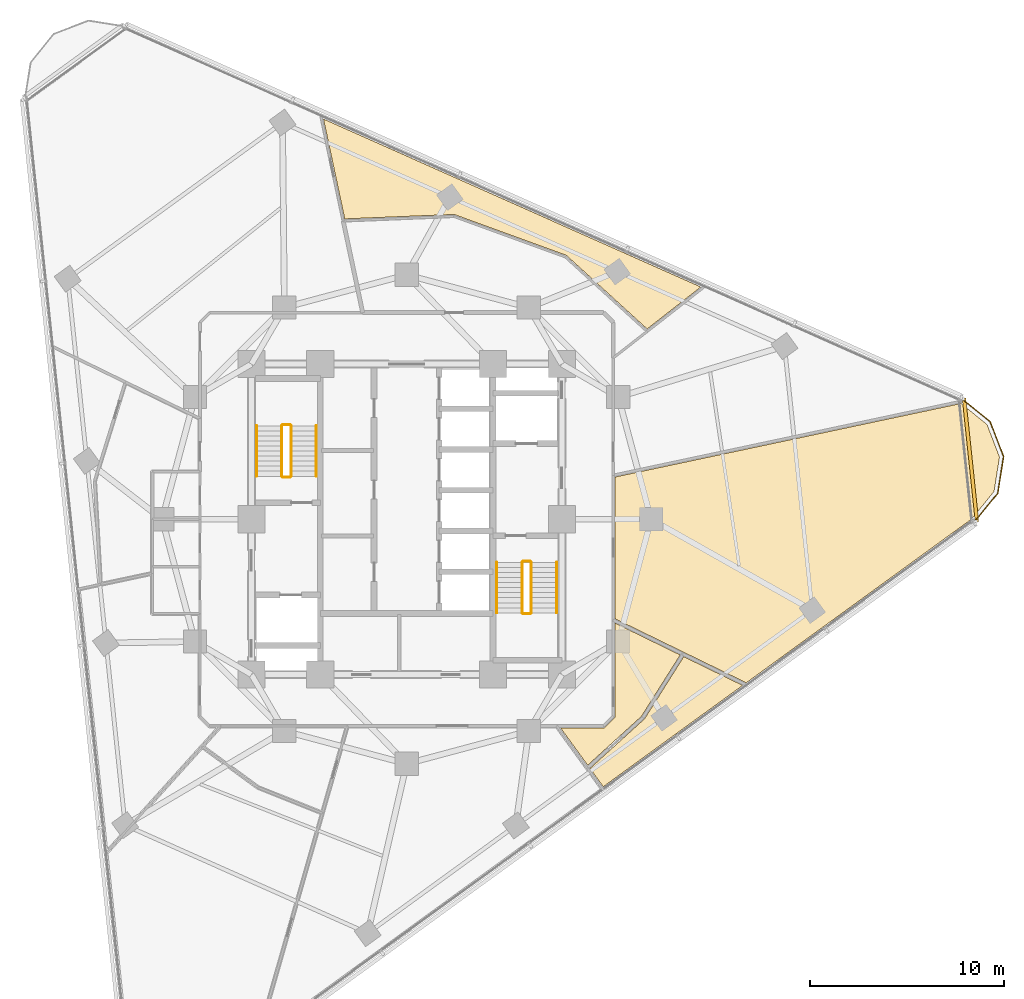
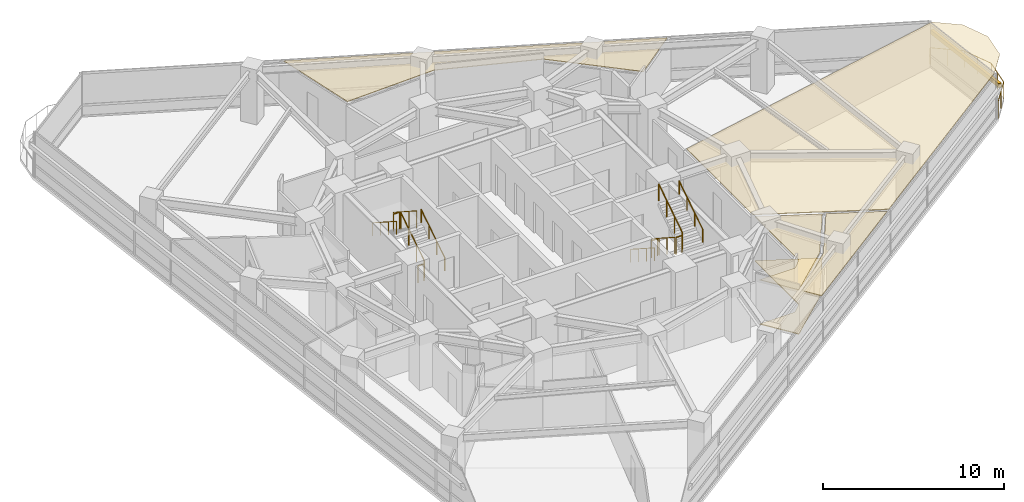
# One storey, part 13 of 14: 13 railings, 5 coverings, 1 shading device.
"""IFC4 building model written with IfcOpenShell, lengths in metres."""

from ifc_helpers import new_model, si_unit, direction, frame, origin, origin_2d, place, context, subcontext, project, spatial, polyline, rectangle, circle, outline, extrude, material, layer, layer_set, type_object, element, save


model = new_model("IFC4")

# Units and contexts
model_context = context("Model", 3, precision=1e-05, world=origin(), true_north=direction((0.0, 1.0)))
body_context = subcontext(model_context, "Body", "Model", "MODEL_VIEW")
ifc_project = project(units=[si_unit("LENGTHUNIT", "METRE"), si_unit("AREAUNIT", "SQUARE_METRE"), si_unit("VOLUMEUNIT", "CUBIC_METRE"), si_unit("PLANEANGLEUNIT", "RADIAN"), si_unit("MASSUNIT", "GRAM", prefix="KILO")], contexts=[model_context])

# Site, building, storey
site_placement = place(None, origin())
site = spatial("IfcSite", under=ifc_project, at=site_placement, CompositionType="ELEMENT")
building_placement = place(site_placement, origin())
building = spatial("IfcBuilding", under=site, at=building_placement, Name="Terralouvre Media Tower", CompositionType="ELEMENT")
storey_placement = place(building_placement, frame((0.0, 0.0, 165.699951171875)))
storey = spatial("IfcBuildingStorey", under=building, at=storey_placement, Name="L42", CompositionType="ELEMENT", Elevation=165.699951171875)

# Coverings
ifc_material_1 = material(Name="Resilient elastomer acoustic broadcast studio flooring")
ifc_layer_1 = layer(ifc_material_1, 0.050048828125, Name="Broadcast Studio Acoustic Floating Floor FL-AC1")
ifc_layer_set_1 = layer_set([ifc_layer_1], Name="Resilient elastomer acoustic broadcast studio flooring")
covering_type_1 = type_object("IfcCoveringType", Name="Broadcast Studio Acoustic Floating Floor FL-AC1", PredefinedType="FLOORING", material=ifc_layer_set_1)
covering_1_placement = place(storey_placement, frame((0.0, 0.0, 0.0), z_axis=(0.0, 0.0, 1.0), x_axis=(0.809016994375, 0.587785252292, 0.0)))
element("IfcCovering", 1, at=covering_1_placement, inside=storey, type_object=covering_type_1, Name="L42 Media Reference Library 5 Acoustic Floating Floor", PredefinedType="FLOORING", context=body_context, shape_type="SweptSolid", body=[
    extrude(outline(polyline([(3.822265625, -15.329345703125), (7.2998046875, -13.942626953125), (5.5498046875, -10.650146484375), (2.73095703125, -14.5302734375), (2.724853515625, -14.537841796875), (2.718017578125, -14.544921875), (2.71044921875, -14.55126953125), (2.7021484375, -14.556640625), (2.693603515625, -14.561279296875), (2.6845703125, -14.565185546875), (2.67529296875, -14.568115234375), (2.665771484375, -14.570068359375), (1.96728515625, -14.680908203125), (1.95751953125, -14.681884765625), (1.94775390625, -14.681884765625), (1.93798828125, -14.68115234375), (1.92822265625, -14.67919921875), (1.918701171875, -14.676513671875), (1.90966796875, -14.6728515625), (1.901123046875, -14.668212890625), (1.892822265625, -14.662841796875), (0.100341796875, -13.360595703125), (0.10009765625, -15.737548828125), (3.822265625, -15.329345703125)])), origin(), (0.0, 0.0, 1.0), 0.050048828125),
])
ifc_material_2 = material(Name="Perforated aluminium acoustic ceiling baffle", Category="aluminium")
ifc_layer_2 = layer(ifc_material_2, 0.0400390625, Name="Perforated Acoustic Metal Tile Ceiling CL-AC1")
ifc_layer_set_2 = layer_set([ifc_layer_2], Name="Perforated aluminium acoustic ceiling baffle")
covering_type_2 = type_object("IfcCoveringType", Name="Perforated Acoustic Metal Tile Ceiling CL-AC1", PredefinedType="CEILING", material=ifc_layer_set_2)
covering_2_placement = place(storey_placement, frame((0.0, 0.0, 2.97998046875), z_axis=(0.0, 0.0, 1.0), x_axis=(0.809016994375, 0.587785252292, 0.0)))
element("IfcCovering", 2, at=covering_2_placement, inside=storey, type_object=covering_type_2, Name="L42 Media Reference Library 5 Acoustic Ceiling", PredefinedType="CEILING", context=body_context, shape_type="SweptSolid", body=[
    extrude(outline(polyline([(3.822265625, -15.329345703125), (7.2998046875, -13.942626953125), (5.5498046875, -10.650146484375), (2.73095703125, -14.5302734375), (2.724853515625, -14.537841796875), (2.718017578125, -14.544921875), (2.71044921875, -14.55126953125), (2.7021484375, -14.556640625), (2.693603515625, -14.561279296875), (2.6845703125, -14.565185546875), (2.67529296875, -14.568115234375), (2.665771484375, -14.570068359375), (1.96728515625, -14.680908203125), (1.95751953125, -14.681884765625), (1.94775390625, -14.681884765625), (1.93798828125, -14.68115234375), (1.92822265625, -14.67919921875), (1.918701171875, -14.676513671875), (1.90966796875, -14.6728515625), (1.901123046875, -14.668212890625), (1.892822265625, -14.662841796875), (0.100341796875, -13.360595703125), (0.10009765625, -15.737548828125), (3.822265625, -15.329345703125)])), origin(), (0.0, 0.0, 1.0), 0.0400390625),
])
covering_3_placement = place(storey_placement, frame((0.0, 0.0, 2.97998046875), z_axis=(0.0, 0.0, 1.0), x_axis=(0.809016994375, 0.587785252292, 0.0)))
element("IfcCovering", 3, at=covering_3_placement, inside=storey, type_object=covering_type_2, Name="L42 Periodicals Reading Club 6 Acoustic Ceiling", PredefinedType="CEILING", context=body_context, shape_type="SweptSolid", body=[
    extrude(outline(polyline([(3.8837890625, -15.520263671875), (3.875244140625, -15.523193359375), (3.866455078125, -15.525390625), (3.857421875, -15.52685546875), (0.10009765625, -15.938720703125), (0.099609375, -17.105712890625), (8.98193359375, -17.10498046875), (7.394287109375, -14.1201171875), (3.8837890625, -15.520263671875)])), origin(), (0.0, 0.0, 1.0), 0.0400390625),
])
covering_4_placement = place(storey_placement, frame((0.0, 0.0, 2.97998046875), z_axis=(0.0, 0.0, 1.0), x_axis=(0.809016994375, 0.587785252292, 0.0)))
element("IfcCovering", 4, at=covering_4_placement, inside=storey, type_object=covering_type_2, Name="L42 Faculty Consultation Office 7 Acoustic Ceiling", PredefinedType="CEILING", context=body_context, shape_type="SweptSolid", body=[
    extrude(outline(polyline([(5.6806640625, -10.47021484375), (7.52880859375, -13.947021484375), (9.208251953125, -17.10498046875), (23.571044921875, -17.105224609375), (25.335693359375, -16.63232421875), (26.60693359375, -15.36181640625), (27.072509765625, -13.6259765625), (26.626953125, -11.964599609375), (9.97998046875, -4.552490234375), (5.6806640625, -10.47021484375)])), origin(), (0.0, 0.0, 1.0), 0.0400390625),
])
covering_5_placement = place(storey_placement, frame((0.0, 0.0, 2.97998046875), z_axis=(0.0, 0.0, 1.0), x_axis=(0.809016994375, 0.587785252292, 0.0)))
element("IfcCovering", 5, at=covering_5_placement, inside=storey, type_object=covering_type_2, Name="L42 Student Project Breakout Room 9 Acoustic Ceiling", PredefinedType="CEILING", context=body_context, shape_type="SweptSolid", body=[
    extrude(outline(polyline([(11.195068359375, 11.288330078125), (11.203125, 11.28271484375), (11.210205078125, 11.276123046875), (11.216796875, 11.26904296875), (11.22265625, 11.26123046875), (14.64501953125, 6.1875), (14.650146484375, 6.17919921875), (14.654296875, 6.17041015625), (14.65771484375, 6.1611328125), (14.66015625, 6.15185546875), (15.795654296875, 0.65185546875), (19.30419921875, 0.7744140625), (8.6611328125, 19.20849609375), (6.521728515625, 14.4013671875), (11.195068359375, 11.288330078125)])), origin(), (0.0, 0.0, 1.0), 0.0400390625),
])

# Railings
ifc_material_3 = material(Name="Stainless steel 316 handrail and balustrade", Category="steel")
ifc_layer_3 = layer(ifc_material_3, 0.06005859375, Name="Roof Edge Safety Guardrail GR-ROOF1")
ifc_layer_set_3 = layer_set([ifc_layer_3], Name="Stainless steel 316 handrail and balustrade")
railing_type_1 = type_object("IfcRailingType", Name="Roof Edge Safety Guardrail GR-ROOF1", PredefinedType="GUARDRAIL", material=ifc_layer_set_3)
railing_1_placement = place(storey_placement, frame((29.261474609375, -0.144775390625, 0.0)))
element("IfcRailing", 6, at=railing_1_placement, inside=storey, type_object=railing_type_1, Name="L42 Wind-Corner Perimeter Safety Guardrail C1", PredefinedType="GUARDRAIL", context=body_context, shape_type="SweptSolid", body=[
    extrude(circle(Radius=0.02099609375, at=origin_2d()), frame((0.0, 0.0, 1.12890625), z_axis=(0.629487951206, 0.777010244004, 0.0), x_axis=(-0.777010244004, 0.629487951206, 0.0)), (0.0, 0.0, 1.0), 1.914794921875),
    extrude(circle(Radius=0.02099609375, at=origin_2d()), frame((1.205322265625, 1.48779296875, 1.12890625), z_axis=(0.156493053434, 0.987679059324, 0.0), x_axis=(-0.987679059324, 0.156493053434, 0.0)), (0.0, 0.0, 1.0), 1.914306640625),
    extrude(circle(Radius=0.02099609375, at=origin_2d()), frame((1.5048828125, 3.37841796875, 1.12890625), z_axis=(-0.358380762009, 0.933575508152, 0.0), x_axis=(-0.933575508152, -0.358380762009, 0.0)), (0.0, 0.0, 1.0), 1.914306640625),
    extrude(circle(Radius=0.02099609375, at=origin_2d()), frame((0.81884765625, 5.16552734375, 1.12890625), z_axis=(-0.777298317119, 0.629132200896, 0.0), x_axis=(-0.629132200896, -0.777298317119, 0.0)), (0.0, 0.0, 1.0), 1.914794921875),
    extrude(circle(Radius=0.01904296875, at=origin_2d()), origin(), (0.0, 0.0, 1.0), 1.10791015625),
    extrude(circle(Radius=0.01904296875, at=origin_2d()), frame((0.6025390625, 0.743896484375, 0.0)), (0.0, 0.0, 1.0), 1.10791015625),
    extrude(circle(Radius=0.01904296875, at=origin_2d()), frame((1.205322265625, 1.48779296875, 0.0)), (0.0, 0.0, 1.0), 1.10791015625),
    extrude(circle(Radius=0.01904296875, at=origin_2d()), frame((1.35498046875, 2.43310546875, 0.0)), (0.0, 0.0, 1.0), 1.10791015625),
    extrude(circle(Radius=0.01904296875, at=origin_2d()), frame((1.5048828125, 3.37841796875, 0.0)), (0.0, 0.0, 1.0), 1.10791015625),
    extrude(circle(Radius=0.01904296875, at=origin_2d()), frame((1.161865234375, 4.27197265625, 0.0)), (0.0, 0.0, 1.0), 1.10791015625),
    extrude(circle(Radius=0.01904296875, at=origin_2d()), frame((0.81884765625, 5.16552734375, 0.0)), (0.0, 0.0, 1.0), 1.10791015625),
    extrude(circle(Radius=0.01904296875, at=origin_2d()), frame((0.07470703125, 5.767822265625, 0.0)), (0.0, 0.0, 1.0), 1.10791015625),
    extrude(circle(Radius=0.01904296875, at=origin_2d()), frame((-0.66943359375, 6.3701171875, 0.0)), (0.0, 0.0, 1.0), 1.10791015625),
])
ifc_material_4 = material(Name="Stainless steel 316 handrail and balustrade", Category="steel")
ifc_layer_4 = layer(ifc_material_4, 0.050048828125, Name="Stair Flight Wall Handrail HR-INT1")
ifc_layer_set_4 = layer_set([ifc_layer_4], Name="Stainless steel 316 handrail and balustrade")
railing_type_2 = type_object("IfcRailingType", Name="Stair Flight Wall Handrail HR-INT1", PredefinedType="HANDRAIL", material=ifc_layer_set_4)
railing_2_placement = place(storey_placement, frame((-4.64990234375, 2.219970703125, 0.168212890625)))
element("IfcRailing", 7, at=railing_2_placement, inside=storey, type_object=railing_type_2, Name="L42 ST-01 stair handrail 1", PredefinedType="HANDRAIL", context=body_context, shape_type="SweptSolid", body=[
    extrude(circle(Radius=0.02392578125, at=origin_2d()), frame((0.0, 0.0, 0.8759765625), z_axis=(0.0, 0.839648411786, 0.543130320075), x_axis=(-1.0, 0.0, 0.0)), (0.0, 0.0, 1.0), 3.0966796875),
    extrude(circle(Radius=0.02099609375, at=origin_2d()), origin(), (0.0, 0.0, 1.0), 0.851806640625),
    extrude(circle(Radius=0.02099609375, at=origin_2d()), frame((0.0, 0.86669921875, 0.560546875)), (0.0, 0.0, 1.0), 0.851806640625),
    extrude(circle(Radius=0.02099609375, at=origin_2d()), frame((0.0, 1.7333984375, 1.121337890625)), (0.0, 0.0, 1.0), 0.851806640625),
    extrude(circle(Radius=0.02099609375, at=origin_2d()), frame((0.0, 2.60009765625, 1.681884765625)), (0.0, 0.0, 1.0), 0.851806640625),
])
railing_3_placement = place(storey_placement, frame((-7.72998046875, 4.820068359375, 2.018310546875)))
element("IfcRailing", 8, at=railing_3_placement, inside=storey, type_object=railing_type_2, Name="L42 ST-01 stair handrail 2", PredefinedType="HANDRAIL", context=body_context, shape_type="SweptSolid", body=[
    extrude(circle(Radius=0.02392578125, at=origin_2d()), frame((0.0, 0.0, 0.8759765625), z_axis=(0.0, -0.839684365666, 0.543074733399), x_axis=(1.0, 0.0, 0.0)), (0.0, 0.0, 1.0), 3.096435546875),
    extrude(circle(Radius=0.02099609375, at=origin_2d()), origin(), (0.0, 0.0, 1.0), 0.851806640625),
    extrude(circle(Radius=0.02099609375, at=origin_2d()), frame((0.0, -0.86669921875, 0.560546875)), (0.0, 0.0, 1.0), 0.851806640625),
    extrude(circle(Radius=0.02099609375, at=origin_2d()), frame((0.0, -1.7333984375, 1.12109375)), (0.0, 0.0, 1.0), 0.851806640625),
    extrude(circle(Radius=0.02099609375, at=origin_2d()), frame((0.0, -2.60009765625, 1.681640625)), (0.0, 0.0, 1.0), 0.851806640625),
])
railing_4_placement = place(storey_placement, frame((4.64990234375, -2.219970703125, 0.168212890625)))
element("IfcRailing", 9, at=railing_4_placement, inside=storey, type_object=railing_type_2, Name="L42 ST-02 stair handrail 1", PredefinedType="HANDRAIL", context=body_context, shape_type="SweptSolid", body=[
    extrude(circle(Radius=0.02392578125, at=origin_2d()), frame((0.0, 0.0, 0.8759765625), z_axis=(0.0, -0.839648411786, 0.543130320075), x_axis=(1.0, 0.0, 0.0)), (0.0, 0.0, 1.0), 3.0966796875),
    extrude(circle(Radius=0.02099609375, at=origin_2d()), origin(), (0.0, 0.0, 1.0), 0.851806640625),
    extrude(circle(Radius=0.02099609375, at=origin_2d()), frame((0.0, -0.86669921875, 0.560546875)), (0.0, 0.0, 1.0), 0.851806640625),
    extrude(circle(Radius=0.02099609375, at=origin_2d()), frame((0.0, -1.7333984375, 1.121337890625)), (0.0, 0.0, 1.0), 0.851806640625),
    extrude(circle(Radius=0.02099609375, at=origin_2d()), frame((0.0, -2.60009765625, 1.681884765625)), (0.0, 0.0, 1.0), 0.851806640625),
])
railing_5_placement = place(storey_placement, frame((7.72998046875, -4.820068359375, 2.018310546875)))
element("IfcRailing", 10, at=railing_5_placement, inside=storey, type_object=railing_type_2, Name="L42 ST-02 stair handrail 2", PredefinedType="HANDRAIL", context=body_context, shape_type="SweptSolid", body=[
    extrude(circle(Radius=0.02392578125, at=origin_2d()), frame((0.0, 0.0, 0.8759765625), z_axis=(0.0, 0.839684365666, 0.543074733399), x_axis=(-1.0, 0.0, 0.0)), (0.0, 0.0, 1.0), 3.096435546875),
    extrude(circle(Radius=0.02099609375, at=origin_2d()), origin(), (0.0, 0.0, 1.0), 0.851806640625),
    extrude(circle(Radius=0.02099609375, at=origin_2d()), frame((0.0, 0.86669921875, 0.560546875)), (0.0, 0.0, 1.0), 0.851806640625),
    extrude(circle(Radius=0.02099609375, at=origin_2d()), frame((0.0, 1.7333984375, 1.12109375)), (0.0, 0.0, 1.0), 0.851806640625),
    extrude(circle(Radius=0.02099609375, at=origin_2d()), frame((0.0, 2.60009765625, 1.681640625)), (0.0, 0.0, 1.0), 0.851806640625),
])
ifc_material_5 = material(Name="Stainless steel 316 handrail and balustrade", Category="steel")
ifc_layer_5 = layer(ifc_material_5, 0.050048828125, Name="Stairwell Safety Guardrail GR-INT1")
ifc_layer_set_5 = layer_set([ifc_layer_5], Name="Stainless steel 316 handrail and balustrade")
railing_type_3 = type_object("IfcRailingType", Name="Stairwell Safety Guardrail GR-INT1", PredefinedType="GUARDRAIL", material=ifc_layer_set_5)
railing_6_placement = place(storey_placement, frame((-5.949951171875, 2.219970703125, 0.168212890625)))
element("IfcRailing", 11, at=railing_6_placement, inside=storey, type_object=railing_type_3, Name="L42 ST-01 stair guard 1", PredefinedType="GUARDRAIL", context=body_context, shape_type="SweptSolid", body=[
    extrude(circle(Radius=0.02392578125, at=origin_2d()), frame((0.0, 0.0, 1.1259765625), z_axis=(0.0, 0.839648411786, 0.543130320075), x_axis=(-1.0, 0.0, 0.0)), (0.0, 0.0, 1.0), 3.0966796875),
    extrude(circle(Radius=0.02099609375, at=origin_2d()), origin(), (0.0, 0.0, 1.0), 1.101806640625),
    extrude(circle(Radius=0.02099609375, at=origin_2d()), frame((0.0, 0.86669921875, 0.560546875)), (0.0, 0.0, 1.0), 1.101806640625),
    extrude(circle(Radius=0.02099609375, at=origin_2d()), frame((0.0, 1.7333984375, 1.121337890625)), (0.0, 0.0, 1.0), 1.101806640625),
    extrude(circle(Radius=0.02099609375, at=origin_2d()), frame((0.0, 2.60009765625, 1.681884765625)), (0.0, 0.0, 1.0), 1.101806640625),
])
railing_7_placement = place(storey_placement, frame((-6.0, 4.8701171875, 1.85009765625)))
element("IfcRailing", 12, at=railing_7_placement, inside=storey, type_object=railing_type_3, Name="L42 ST-01 stair guard 2", PredefinedType="GUARDRAIL", context=body_context, shape_type="SweptSolid", body=[
    extrude(circle(Radius=0.02392578125, at=origin_2d()), frame((0.0, 0.0, 1.1259765625), z_axis=(-1.0, 0.0, 0.0), x_axis=(0.0, -1.0, 0.0)), (0.0, 0.0, 1.0), 0.3798828125),
    extrude(circle(Radius=0.02099609375, at=origin_2d()), origin(), (0.0, 0.0, 1.0), 1.101806640625),
    extrude(circle(Radius=0.02099609375, at=origin_2d()), frame((-0.3798828125, 0.0, 0.0)), (0.0, 0.0, 1.0), 1.101806640625),
])
railing_8_placement = place(storey_placement, frame((-6.429931640625, 4.820068359375, 2.018310546875)))
element("IfcRailing", 13, at=railing_8_placement, inside=storey, type_object=railing_type_3, Name="L42 ST-01 stair guard 3", PredefinedType="GUARDRAIL", context=body_context, shape_type="SweptSolid", body=[
    extrude(circle(Radius=0.02392578125, at=origin_2d()), frame((0.0, 0.0, 1.1259765625), z_axis=(0.0, -0.839684365666, 0.543074733399), x_axis=(1.0, 0.0, 0.0)), (0.0, 0.0, 1.0), 3.096435546875),
    extrude(circle(Radius=0.02099609375, at=origin_2d()), origin(), (0.0, 0.0, 1.0), 1.101806640625),
    extrude(circle(Radius=0.02099609375, at=origin_2d()), frame((0.0, -0.86669921875, 0.560546875)), (0.0, 0.0, 1.0), 1.101806640625),
    extrude(circle(Radius=0.02099609375, at=origin_2d()), frame((0.0, -1.7333984375, 1.12109375)), (0.0, 0.0, 1.0), 1.101806640625),
    extrude(circle(Radius=0.02099609375, at=origin_2d()), frame((0.0, -2.60009765625, 1.681640625)), (0.0, 0.0, 1.0), 1.101806640625),
])
railing_9_placement = place(storey_placement, frame((-6.0, 2.169921875, 0.0)))
element("IfcRailing", 14, at=railing_9_placement, inside=storey, type_object=railing_type_3, Name="L42 ST-01 stair guard 4", PredefinedType="GUARDRAIL", context=body_context, shape_type="SweptSolid", body=[
    extrude(circle(Radius=0.02392578125, at=origin_2d()), frame((0.0, 0.0, 1.1259765625), z_axis=(-1.0, 0.0, 0.0), x_axis=(0.0, -1.0, 0.0)), (0.0, 0.0, 1.0), 0.3798828125),
    extrude(circle(Radius=0.02099609375, at=origin_2d()), origin(), (0.0, 0.0, 1.0), 1.101806640625),
    extrude(circle(Radius=0.02099609375, at=origin_2d()), frame((-0.3798828125, 0.0, 0.0)), (0.0, 0.0, 1.0), 1.101806640625),
])
railing_10_placement = place(storey_placement, frame((5.949951171875, -2.219970703125, 0.168212890625)))
element("IfcRailing", 15, at=railing_10_placement, inside=storey, type_object=railing_type_3, Name="L42 ST-02 stair guard 1", PredefinedType="GUARDRAIL", context=body_context, shape_type="SweptSolid", body=[
    extrude(circle(Radius=0.02392578125, at=origin_2d()), frame((0.0, 0.0, 1.1259765625), z_axis=(0.0, -0.839648411786, 0.543130320075), x_axis=(1.0, 0.0, 0.0)), (0.0, 0.0, 1.0), 3.0966796875),
    extrude(circle(Radius=0.02099609375, at=origin_2d()), origin(), (0.0, 0.0, 1.0), 1.101806640625),
    extrude(circle(Radius=0.02099609375, at=origin_2d()), frame((0.0, -0.86669921875, 0.560546875)), (0.0, 0.0, 1.0), 1.101806640625),
    extrude(circle(Radius=0.02099609375, at=origin_2d()), frame((0.0, -1.7333984375, 1.121337890625)), (0.0, 0.0, 1.0), 1.101806640625),
    extrude(circle(Radius=0.02099609375, at=origin_2d()), frame((0.0, -2.60009765625, 1.681884765625)), (0.0, 0.0, 1.0), 1.101806640625),
])
railing_11_placement = place(storey_placement, frame((6.0, -4.8701171875, 1.85009765625)))
element("IfcRailing", 16, at=railing_11_placement, inside=storey, type_object=railing_type_3, Name="L42 ST-02 stair guard 2", PredefinedType="GUARDRAIL", context=body_context, shape_type="SweptSolid", body=[
    extrude(circle(Radius=0.02392578125, at=origin_2d()), frame((0.0, 0.0, 1.1259765625), z_axis=(1.0, 0.0, 0.0), x_axis=(0.0, 1.0, 0.0)), (0.0, 0.0, 1.0), 0.3798828125),
    extrude(circle(Radius=0.02099609375, at=origin_2d()), origin(), (0.0, 0.0, 1.0), 1.101806640625),
    extrude(circle(Radius=0.02099609375, at=origin_2d()), frame((0.3798828125, 0.0, 0.0)), (0.0, 0.0, 1.0), 1.101806640625),
])
railing_12_placement = place(storey_placement, frame((6.429931640625, -4.820068359375, 2.018310546875)))
element("IfcRailing", 17, at=railing_12_placement, inside=storey, type_object=railing_type_3, Name="L42 ST-02 stair guard 3", PredefinedType="GUARDRAIL", context=body_context, shape_type="SweptSolid", body=[
    extrude(circle(Radius=0.02392578125, at=origin_2d()), frame((0.0, 0.0, 1.1259765625), z_axis=(0.0, 0.839684365666, 0.543074733399), x_axis=(-1.0, 0.0, 0.0)), (0.0, 0.0, 1.0), 3.096435546875),
    extrude(circle(Radius=0.02099609375, at=origin_2d()), origin(), (0.0, 0.0, 1.0), 1.101806640625),
    extrude(circle(Radius=0.02099609375, at=origin_2d()), frame((0.0, 0.86669921875, 0.560546875)), (0.0, 0.0, 1.0), 1.101806640625),
    extrude(circle(Radius=0.02099609375, at=origin_2d()), frame((0.0, 1.7333984375, 1.12109375)), (0.0, 0.0, 1.0), 1.101806640625),
    extrude(circle(Radius=0.02099609375, at=origin_2d()), frame((0.0, 2.60009765625, 1.681640625)), (0.0, 0.0, 1.0), 1.101806640625),
])
railing_13_placement = place(storey_placement, frame((6.0, -2.169921875, 0.0)))
element("IfcRailing", 18, at=railing_13_placement, inside=storey, type_object=railing_type_3, Name="L42 ST-02 stair guard 4", PredefinedType="GUARDRAIL", context=body_context, shape_type="SweptSolid", body=[
    extrude(circle(Radius=0.02392578125, at=origin_2d()), frame((0.0, 0.0, 1.1259765625), z_axis=(1.0, 0.0, 0.0), x_axis=(0.0, 1.0, 0.0)), (0.0, 0.0, 1.0), 0.3798828125),
    extrude(circle(Radius=0.02099609375, at=origin_2d()), origin(), (0.0, 0.0, 1.0), 1.101806640625),
    extrude(circle(Radius=0.02099609375, at=origin_2d()), frame((0.3798828125, 0.0, 0.0)), (0.0, 0.0, 1.0), 1.101806640625),
])

# Shading device
ifc_material_6 = material(Name="Extruded terracotta baguette sunshade louvres", Category="masonry")
shading_device_type = type_object("IfcShadingDeviceType", Name="Terracotta Baguette Sunshade Louvre Screen TB-LV1", PredefinedType="USERDEFINED", material=ifc_material_6)
shading_device_placement = place(storey_placement, frame((29.060791015625, 3.054443359375, 2.02392578125), z_axis=(0.0, 0.0, 1.0), x_axis=(-0.10452850319, 0.994521891172, 0.0)))
element("IfcShadingDevice", 19, at=shading_device_placement, inside=storey, type_object=shading_device_type, Name="CW-L42-C1 Terracotta Baguette Sunshade Louvre", ObjectType="BAGUETTE", PredefinedType="USERDEFINED", context=body_context, shape_type="SweptSolid", body=[
    extrude(rectangle(XDim=6.40869140625, YDim=0.179931640625, at=origin_2d()), origin(), (0.0, 0.0, 1.0), 0.280029296875),
])

save(model, "model.ifc")
